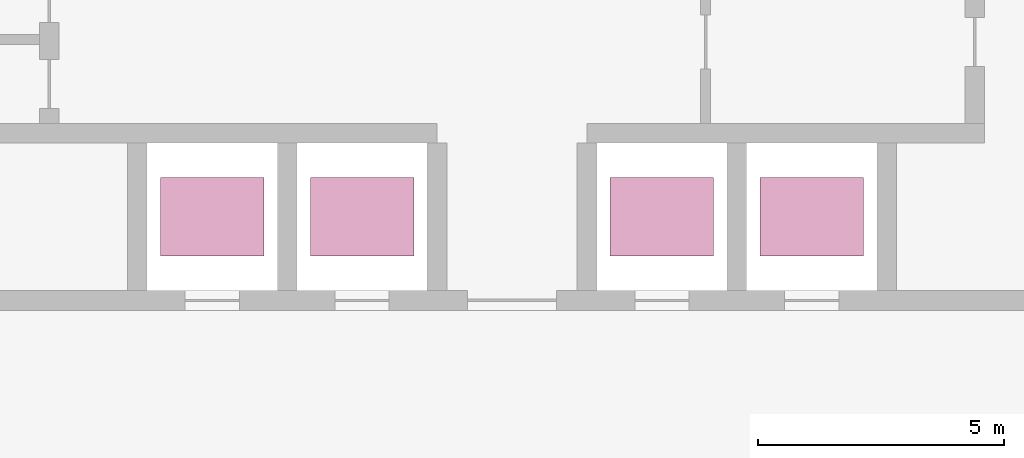
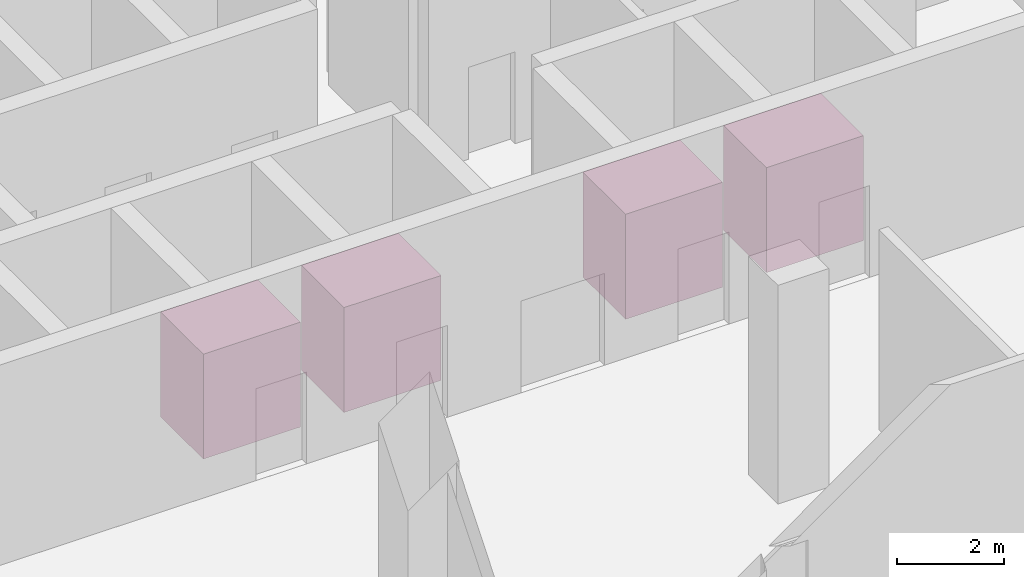
# One storey, part 12 of 12: 4 transport elements.
"""IFC4 building model written with IfcOpenShell, lengths in metres."""

import ifcopenshell
import ifcopenshell.guid

model = None  # the IFC model being written
_history = None  # IfcOwnerHistory: only IFC2X3 demands one
_inside = {}  # id of a spatial element -> (the spatial element, [elements in it])
_under = {}  # id of a project, library or spatial element -> (it, [spatial elements below it])
_declared = {}  # id of a project -> (the project, [libraries it declares])
_typed = {}  # id of a type object -> (the type object, [elements of that type])
_made_of = {}  # id of a material, layer set ... -> (it, [elements and type objects made of it])


def new_model(schema):
    """Start an empty IFC model of exactly this schema.

    Asked for "IFC4X3", IfcOpenShell would pick the latest addendum, in which some entities
    have other attributes; the version numbers below select the first issue.
    IFC2X3 requires an IfcOwnerHistory on every rooted entity: one is made here for all.
    """
    global model, _history
    if schema == "IFC4X3":
        model = ifcopenshell.file(schema_version=(4, 3, 0, 0))
    else:
        model = ifcopenshell.file(schema=schema)
    _inside.clear()
    _under.clear()
    _declared.clear()
    _typed.clear()
    _made_of.clear()
    _history = None
    if model.schema == "IFC2X3":
        org = make("IfcOrganization", Name="unknown")
        user = make(
            "IfcPersonAndOrganization",
            ThePerson=make("IfcPerson", FamilyName="unknown"),
            TheOrganization=org,
        )
        app = make(
            "IfcApplication",
            ApplicationDeveloper=org,
            Version="unknown",
            ApplicationFullName="unknown",
            ApplicationIdentifier="unknown",
        )
        _history = make(
            "IfcOwnerHistory",
            OwningUser=user,
            OwningApplication=app,
            ChangeAction="ADDED",
            CreationDate=0,
        )
    return model


def make(cls, **values):
    """One entity of the class cls with the attributes given. An attribute that is None is left unset."""
    return model.create_entity(
        cls, **{name: value for name, value in values.items() if value is not None}
    )


def rooted(cls, **values):
    """An entity with a GlobalId (a new one), such as an element, a storey or a relation."""
    return make(cls, GlobalId=ifcopenshell.guid.new(), OwnerHistory=_history, **values)


def si_unit(unit_type, name, prefix=None):
    """IfcSIUnit, for example si_unit("LENGTHUNIT", "METRE", prefix="MILLI")."""
    return make("IfcSIUnit", UnitType=unit_type, Prefix=prefix, Name=name)


def assignment(units):
    """IfcUnitAssignment: the units of a project."""
    return None if units is None else make("IfcUnitAssignment", Units=units)


def point(xyz):
    """IfcCartesianPoint."""
    return None if xyz is None else make("IfcCartesianPoint", Coordinates=xyz)


def direction(xyz):
    """IfcDirection."""
    return None if xyz is None else make("IfcDirection", DirectionRatios=xyz)


def frame(location, z_axis=None, x_axis=None):
    """IfcAxis2Placement3D, a coordinate frame: its origin and axes. An axis left out is left unset."""
    return make(
        "IfcAxis2Placement3D",
        Location=point(location),
        Axis=direction(z_axis),
        RefDirection=direction(x_axis),
    )


def frame_2d(location, x_axis=None):
    """IfcAxis2Placement2D, a coordinate frame in the plane: its origin and x axis."""
    return make(
        "IfcAxis2Placement2D", Location=point(location), RefDirection=direction(x_axis)
    )


def origin():
    """The frame at (0, 0, 0) with its axes left unset."""
    return frame((0.0, 0.0, 0.0))


def origin_2d():
    """The frame at (0, 0) in the plane with its x axis left unset."""
    return frame_2d((0.0, 0.0))


def place(relative_to, where):
    """IfcLocalPlacement: puts the frame where relative to a parent placement (None: the world)."""
    return make(
        "IfcLocalPlacement", PlacementRelTo=relative_to, RelativePlacement=where
    )


def context(
    kind, dimensions, precision=None, world=None, true_north=None, identifier=None
):
    """IfcGeometricRepresentationContext, for example the 3D "Model" context."""
    return make(
        "IfcGeometricRepresentationContext",
        ContextIdentifier=identifier,
        ContextType=kind,
        CoordinateSpaceDimension=dimensions,
        Precision=precision,
        WorldCoordinateSystem=world,
        TrueNorth=true_north,
    )


def subcontext(parent, identifier, kind, view, scale=None):
    """IfcGeometricRepresentationSubContext, for example "Body" below "Model"."""
    return make(
        "IfcGeometricRepresentationSubContext",
        ContextIdentifier=identifier,
        ContextType=kind,
        ParentContext=parent,
        TargetScale=scale,
        TargetView=view,
    )


def project(units=None, contexts=None):
    """IfcProject with its units and contexts."""
    return rooted(
        "IfcProject",
        Name="project",
        RepresentationContexts=contexts,
        UnitsInContext=assignment(units),
    )


def spatial(cls, under=None, at=None, **own):
    """A site, building, storey or space (cls), placed at a placement, below another one or the project."""
    s = rooted(cls, ObjectPlacement=at, **own)
    if under is not None:
        _under.setdefault(under.id(), (under, []))[1].append(s)
    return s


def profile(cls, at=None, kind="AREA", **sizes):
    """A parametric profile (cls). Its sizes go by their IFC names, for example OverallWidth=200.0."""
    return make(cls, ProfileType=kind, Position=at, **sizes)


def rectangle(**sizes):
    """IfcRectangleProfileDef."""
    return profile("IfcRectangleProfileDef", **sizes)


def extrude(swept, where, along, depth):
    """IfcExtrudedAreaSolid: the profile swept, set in the frame where, extruded along a direction by depth."""
    return make(
        "IfcExtrudedAreaSolid",
        SweptArea=swept,
        Position=where,
        ExtrudedDirection=direction(along),
        Depth=depth,
    )


def shape(context_of_items, identifier, shape_type, items):
    """IfcShapeRepresentation: the items that make up one representation, for example the "Body"."""
    return make(
        "IfcShapeRepresentation",
        ContextOfItems=context_of_items,
        RepresentationIdentifier=identifier,
        RepresentationType=shape_type,
        Items=items,
    )


def material(Name=None, Category=None):
    """IfcMaterial."""
    return make("IfcMaterial", Name=Name, Category=Category)


def made_of(thing, what):
    """Note that an element or type object is made of a material, layer set ...; save() writes the relation."""
    if what is not None:
        _made_of.setdefault(what.id(), (what, []))[1].append(thing)
    return thing


def type_object(cls, material=None, **own):
    """A type object (cls), such as IfcWallType, which elements share."""
    return made_of(rooted(cls, **own), material)


def element(
    cls,
    number,
    at=None,
    inside=None,
    cuts=None,
    type_object=None,
    material=None,
    context=None,
    identifier="Body",
    shape_type=None,
    held_by="IfcProductDefinitionShape",
    body=None,
    shapes=None,
    **own,
):
    """One element of the class cls, such as IfcWall. Its Tag is "e" and its number.

    at: its placement. inside: the storey or other place that contains it. cuts: it is an
    opening in that element (IfcRelVoidsElement). A single representation is given by context,
    identifier, shape_type and body (its items); several are given by shapes. held_by: the class
    of the entity that holds the representations. save() writes the other relations.
    """
    e = rooted(cls, Tag="e%d" % number, ObjectPlacement=at, **own)
    if body is not None:
        shapes = [shape(context, identifier, shape_type, body)]
    if shapes is not None:
        e.Representation = make(held_by, Representations=shapes)
    if inside is not None:
        _inside.setdefault(inside.id(), (inside, []))[1].append(e)
    if cuts is not None:
        rooted(
            "IfcRelVoidsElement", RelatingBuildingElement=cuts, RelatedOpeningElement=e
        )
    if type_object is not None:
        _typed.setdefault(type_object.id(), (type_object, []))[1].append(e)
    return made_of(e, material)


def aggregate(whole, parts):
    """IfcRelAggregates: a whole, such as a stair, and the parts it consists of."""
    return rooted("IfcRelAggregates", RelatingObject=whole, RelatedObjects=parts)


def save(model, path):
    """Write the relations noted so far, then the file.

    IfcRelAggregates (storeys below a building ...), IfcRelContainedInSpatialStructure (elements
    in a storey), IfcRelDefinesByType, IfcRelAssociatesMaterial and IfcRelDeclares: one each for
    every whole, place, type object, material and project.
    """
    for whole, parts in _under.values():
        aggregate(whole, parts)
    for where, things in _inside.values():
        rooted(
            "IfcRelContainedInSpatialStructure",
            RelatedElements=things,
            RelatingStructure=where,
        )
    for kind, things in _typed.values():
        rooted("IfcRelDefinesByType", RelatedObjects=things, RelatingType=kind)
    for what, things in _made_of.values():
        rooted("IfcRelAssociatesMaterial", RelatedObjects=things, RelatingMaterial=what)
    for by, libraries in _declared.values():
        rooted("IfcRelDeclares", RelatingContext=by, RelatedDefinitions=libraries)
    model.write(path)


model = new_model("IFC4")

# Units and contexts
model_context = context("Model", 3, precision=1e-05, world=origin(), true_north=direction((0.0, 1.0)))
body_context = subcontext(model_context, "Body", "Model", "MODEL_VIEW")
ifc_project = project(units=[si_unit("LENGTHUNIT", "METRE"), si_unit("AREAUNIT", "SQUARE_METRE"), si_unit("VOLUMEUNIT", "CUBIC_METRE"), si_unit("PLANEANGLEUNIT", "RADIAN"), si_unit("MASSUNIT", "GRAM", prefix="KILO")], contexts=[model_context])

# Site, building, storey
site_placement = place(None, origin())
site = spatial("IfcSite", under=ifc_project, at=site_placement, CompositionType="ELEMENT")
building_placement = place(site_placement, origin())
building = spatial("IfcBuilding", under=site, at=building_placement, Name="Vidyagriha Tower", CompositionType="ELEMENT")
storey_placement = place(building_placement, frame((0.0, 0.0, -5.0)))
storey = spatial("IfcBuildingStorey", under=building, at=storey_placement, Name="B1", CompositionType="ELEMENT", Elevation=-5.0)

# Transport elements
ifc_material = material(Name="Stainless steel lift car", Category="steel")
transport_element_type = type_object("IfcTransportElementType", Name="Lift car low-rise 2100 x 1600 mm", PredefinedType="ELEVATOR", material=ifc_material)
for number, where, name in (
    (1, (-6.0888671875, 4.89990234375, 0.0), "Lift LR1"),
    (2, (-3.04443359375, 4.89990234375, 0.0), "Lift LR2"),
    (3, (3.04443359375, 4.89990234375, 0.0), "Lift LR3"),
    (4, (6.0888671875, 4.89990234375, 0.0), "Lift LR4"),
):
    element("IfcTransportElement", number, at=place(storey_placement, frame(where)), inside=storey, type_object=transport_element_type, Name=name, PredefinedType="ELEVATOR", context=body_context, shape_type="SweptSolid", body=[
        extrude(rectangle(XDim=2.10009765625, YDim=1.60009765625, at=origin_2d()), origin(), (0.0, 0.0, 1.0), 2.39990234375),
    ])

save(model, "model.ifc")
